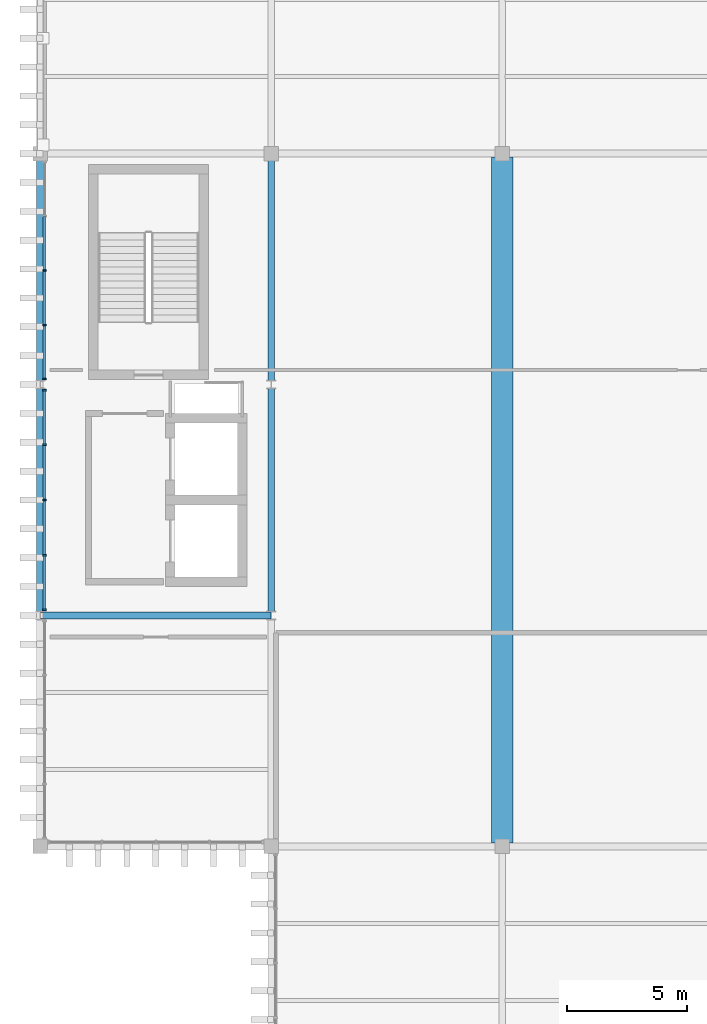
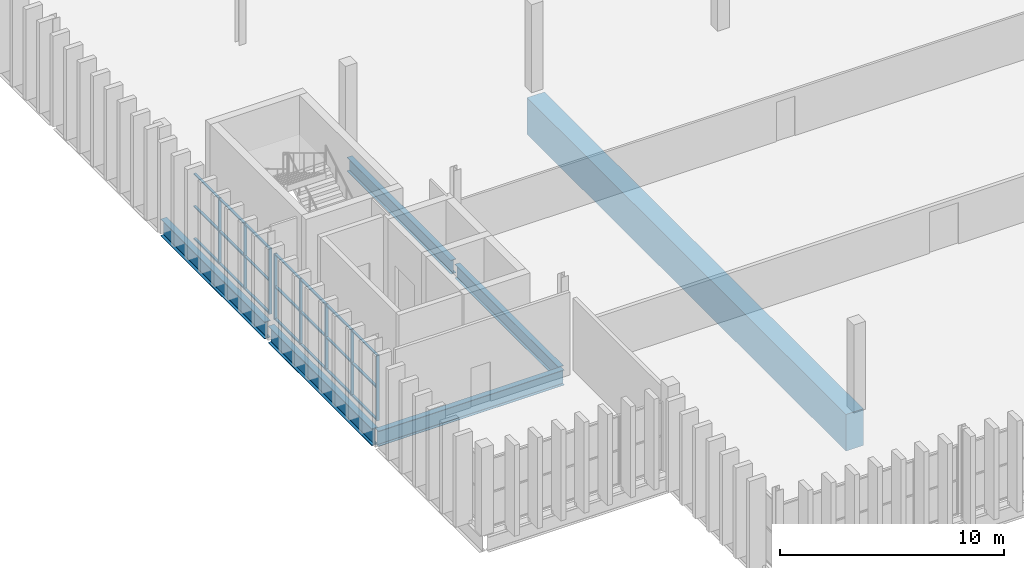
# One storey, part 17 of 99: 29 members, 6 beams, 2 elements without a shape of their own.
"""IFC4 building model written with IfcOpenShell, lengths in metres."""

import ifcopenshell
import ifcopenshell.guid

model = None  # the IFC model being written
_history = None  # IfcOwnerHistory: only IFC2X3 demands one
_inside = {}  # id of a spatial element -> (the spatial element, [elements in it])
_under = {}  # id of a project, library or spatial element -> (it, [spatial elements below it])
_declared = {}  # id of a project -> (the project, [libraries it declares])
_typed = {}  # id of a type object -> (the type object, [elements of that type])
_made_of = {}  # id of a material, layer set ... -> (it, [elements and type objects made of it])


def new_model(schema):
    """Start an empty IFC model of exactly this schema.

    Asked for "IFC4X3", IfcOpenShell would pick the latest addendum, in which some entities
    have other attributes; the version numbers below select the first issue.
    IFC2X3 requires an IfcOwnerHistory on every rooted entity: one is made here for all.
    """
    global model, _history
    if schema == "IFC4X3":
        model = ifcopenshell.file(schema_version=(4, 3, 0, 0))
    else:
        model = ifcopenshell.file(schema=schema)
    _inside.clear()
    _under.clear()
    _declared.clear()
    _typed.clear()
    _made_of.clear()
    _history = None
    if model.schema == "IFC2X3":
        org = make("IfcOrganization", Name="unknown")
        user = make(
            "IfcPersonAndOrganization",
            ThePerson=make("IfcPerson", FamilyName="unknown"),
            TheOrganization=org,
        )
        app = make(
            "IfcApplication",
            ApplicationDeveloper=org,
            Version="unknown",
            ApplicationFullName="unknown",
            ApplicationIdentifier="unknown",
        )
        _history = make(
            "IfcOwnerHistory",
            OwningUser=user,
            OwningApplication=app,
            ChangeAction="ADDED",
            CreationDate=0,
        )
    return model


def make(cls, **values):
    """One entity of the class cls with the attributes given. An attribute that is None is left unset."""
    return model.create_entity(
        cls, **{name: value for name, value in values.items() if value is not None}
    )


def rooted(cls, **values):
    """An entity with a GlobalId (a new one), such as an element, a storey or a relation."""
    return make(cls, GlobalId=ifcopenshell.guid.new(), OwnerHistory=_history, **values)


def si_unit(unit_type, name, prefix=None):
    """IfcSIUnit, for example si_unit("LENGTHUNIT", "METRE", prefix="MILLI")."""
    return make("IfcSIUnit", UnitType=unit_type, Prefix=prefix, Name=name)


def assignment(units):
    """IfcUnitAssignment: the units of a project."""
    return None if units is None else make("IfcUnitAssignment", Units=units)


def point(xyz):
    """IfcCartesianPoint."""
    return None if xyz is None else make("IfcCartesianPoint", Coordinates=xyz)


def direction(xyz):
    """IfcDirection."""
    return None if xyz is None else make("IfcDirection", DirectionRatios=xyz)


def frame(location, z_axis=None, x_axis=None):
    """IfcAxis2Placement3D, a coordinate frame: its origin and axes. An axis left out is left unset."""
    return make(
        "IfcAxis2Placement3D",
        Location=point(location),
        Axis=direction(z_axis),
        RefDirection=direction(x_axis),
    )


def frame_2d(location, x_axis=None):
    """IfcAxis2Placement2D, a coordinate frame in the plane: its origin and x axis."""
    return make(
        "IfcAxis2Placement2D", Location=point(location), RefDirection=direction(x_axis)
    )


def origin():
    """The frame at (0, 0, 0) with its axes left unset."""
    return frame((0.0, 0.0, 0.0))


def origin_2d():
    """The frame at (0, 0) in the plane with its x axis left unset."""
    return frame_2d((0.0, 0.0))


def place(relative_to, where):
    """IfcLocalPlacement: puts the frame where relative to a parent placement (None: the world)."""
    return make(
        "IfcLocalPlacement", PlacementRelTo=relative_to, RelativePlacement=where
    )


def context(
    kind, dimensions, precision=None, world=None, true_north=None, identifier=None
):
    """IfcGeometricRepresentationContext, for example the 3D "Model" context."""
    return make(
        "IfcGeometricRepresentationContext",
        ContextIdentifier=identifier,
        ContextType=kind,
        CoordinateSpaceDimension=dimensions,
        Precision=precision,
        WorldCoordinateSystem=world,
        TrueNorth=true_north,
    )


def subcontext(parent, identifier, kind, view, scale=None):
    """IfcGeometricRepresentationSubContext, for example "Body" below "Model"."""
    return make(
        "IfcGeometricRepresentationSubContext",
        ContextIdentifier=identifier,
        ContextType=kind,
        ParentContext=parent,
        TargetScale=scale,
        TargetView=view,
    )


def project(units=None, contexts=None):
    """IfcProject with its units and contexts."""
    return rooted(
        "IfcProject",
        Name="project",
        RepresentationContexts=contexts,
        UnitsInContext=assignment(units),
    )


def spatial(cls, under=None, at=None, **own):
    """A site, building, storey or space (cls), placed at a placement, below another one or the project."""
    s = rooted(cls, ObjectPlacement=at, **own)
    if under is not None:
        _under.setdefault(under.id(), (under, []))[1].append(s)
    return s


def profile(cls, at=None, kind="AREA", **sizes):
    """A parametric profile (cls). Its sizes go by their IFC names, for example OverallWidth=200.0."""
    return make(cls, ProfileType=kind, Position=at, **sizes)


def rectangle(**sizes):
    """IfcRectangleProfileDef."""
    return profile("IfcRectangleProfileDef", **sizes)


def i_section(**sizes):
    """IfcIShapeProfileDef."""
    return profile("IfcIShapeProfileDef", **sizes)


def extrude(swept, where, along, depth):
    """IfcExtrudedAreaSolid: the profile swept, set in the frame where, extruded along a direction by depth."""
    return make(
        "IfcExtrudedAreaSolid",
        SweptArea=swept,
        Position=where,
        ExtrudedDirection=direction(along),
        Depth=depth,
    )


def shape(context_of_items, identifier, shape_type, items):
    """IfcShapeRepresentation: the items that make up one representation, for example the "Body"."""
    return make(
        "IfcShapeRepresentation",
        ContextOfItems=context_of_items,
        RepresentationIdentifier=identifier,
        RepresentationType=shape_type,
        Items=items,
    )


def material(Name=None, Category=None):
    """IfcMaterial."""
    return make("IfcMaterial", Name=Name, Category=Category)


def layer(
    of_material, thickness, ventilated=None, Name=None, Category=None, Priority=None
):
    """IfcMaterialLayer: one layer of a wall or slab, of a material (None: an air gap)."""
    return make(
        "IfcMaterialLayer",
        Material=of_material,
        LayerThickness=thickness,
        IsVentilated=ventilated,
        Name=Name,
        Category=Category,
        Priority=Priority,
    )


def layer_set(layers, Name=None):
    """IfcMaterialLayerSet."""
    return make("IfcMaterialLayerSet", MaterialLayers=layers, LayerSetName=Name)


def material_profile(
    of_material, cross_section, Name=None, Category=None, Priority=None
):
    """IfcMaterialProfile: a cross section and its material."""
    return make(
        "IfcMaterialProfile",
        Name=Name,
        Material=of_material,
        Profile=cross_section,
        Priority=Priority,
        Category=Category,
    )


def profile_set(profiles, Name=None, composite=None):
    """IfcMaterialProfileSet."""
    return make(
        "IfcMaterialProfileSet",
        Name=Name,
        MaterialProfiles=profiles,
        CompositeProfile=composite,
    )


def made_of(thing, what):
    """Note that an element or type object is made of a material, layer set ...; save() writes the relation."""
    if what is not None:
        _made_of.setdefault(what.id(), (what, []))[1].append(thing)
    return thing


def type_object(cls, material=None, **own):
    """A type object (cls), such as IfcWallType, which elements share."""
    return made_of(rooted(cls, **own), material)


def element(
    cls,
    number,
    at=None,
    inside=None,
    cuts=None,
    type_object=None,
    material=None,
    context=None,
    identifier="Body",
    shape_type=None,
    held_by="IfcProductDefinitionShape",
    body=None,
    shapes=None,
    **own,
):
    """One element of the class cls, such as IfcWall. Its Tag is "e" and its number.

    at: its placement. inside: the storey or other place that contains it. cuts: it is an
    opening in that element (IfcRelVoidsElement). A single representation is given by context,
    identifier, shape_type and body (its items); several are given by shapes. held_by: the class
    of the entity that holds the representations. save() writes the other relations.
    """
    e = rooted(cls, Tag="e%d" % number, ObjectPlacement=at, **own)
    if body is not None:
        shapes = [shape(context, identifier, shape_type, body)]
    if shapes is not None:
        e.Representation = make(held_by, Representations=shapes)
    if inside is not None:
        _inside.setdefault(inside.id(), (inside, []))[1].append(e)
    if cuts is not None:
        rooted(
            "IfcRelVoidsElement", RelatingBuildingElement=cuts, RelatedOpeningElement=e
        )
    if type_object is not None:
        _typed.setdefault(type_object.id(), (type_object, []))[1].append(e)
    return made_of(e, material)


def aggregate(whole, parts):
    """IfcRelAggregates: a whole, such as a stair, and the parts it consists of."""
    return rooted("IfcRelAggregates", RelatingObject=whole, RelatedObjects=parts)


def save(model, path):
    """Write the relations noted so far, then the file.

    IfcRelAggregates (storeys below a building ...), IfcRelContainedInSpatialStructure (elements
    in a storey), IfcRelDefinesByType, IfcRelAssociatesMaterial and IfcRelDeclares: one each for
    every whole, place, type object, material and project.
    """
    for whole, parts in _under.values():
        aggregate(whole, parts)
    for where, things in _inside.values():
        rooted(
            "IfcRelContainedInSpatialStructure",
            RelatedElements=things,
            RelatingStructure=where,
        )
    for kind, things in _typed.values():
        rooted("IfcRelDefinesByType", RelatedObjects=things, RelatingType=kind)
    for what, things in _made_of.values():
        rooted("IfcRelAssociatesMaterial", RelatedObjects=things, RelatingMaterial=what)
    for by, libraries in _declared.values():
        rooted("IfcRelDeclares", RelatingContext=by, RelatedDefinitions=libraries)
    model.write(path)


model = new_model("IFC4")

# Units and contexts
model_context = context("Model", 3, precision=1e-05, world=origin(), true_north=direction((0.0, 1.0)))
body_context = subcontext(model_context, "Body", "Model", "MODEL_VIEW")
ifc_project = project(units=[si_unit("LENGTHUNIT", "METRE"), si_unit("AREAUNIT", "SQUARE_METRE"), si_unit("VOLUMEUNIT", "CUBIC_METRE"), si_unit("PLANEANGLEUNIT", "RADIAN"), si_unit("MASSUNIT", "GRAM", prefix="KILO")], contexts=[model_context])

# Site, building, storey
site_placement = place(None, origin())
site = spatial("IfcSite", under=ifc_project, at=site_placement, CompositionType="ELEMENT")
building_placement = place(site_placement, origin())
building = spatial("IfcBuilding", under=site, at=building_placement, Name="Caelomonte Colonnade Arena", CompositionType="ELEMENT")
storey_placement = place(building_placement, frame((0.0, 0.0, 4.800048828125)))
storey = spatial("IfcBuildingStorey", under=building, at=storey_placement, Name="L01", CompositionType="ELEMENT", Elevation=4.800048828125)

# Curtain wall, members
ifc_material_1 = material(Name="Bronze anodised aluminium and low-E glazing", Category="aluminium")
ifc_layer = layer(ifc_material_1, 0.179931640625)
ifc_layer_set = layer_set([ifc_layer], Name="Bronze anodised aluminium and low-E glazing")
curtain_wall_type = type_object("IfcCurtainWallType", Name="ENV-CW-CW-L01-96-36", PredefinedType="USERDEFINED", material=ifc_layer_set)
curtain_wall_1_placement = place(storey_placement, origin())
curtain_wall_1 = element("IfcCurtainWall", 1, at=curtain_wall_1_placement, inside=storey, type_object=curtain_wall_type, Name="L01 unitized curtain wall CW-L01-0002-0624", ObjectType="UNITIZED CURTAIN WALL", PredefinedType="USERDEFINED")
ifc_material_2 = material(Name="Bronze anodised aluminium AA6063-T6", Category="aluminium")
ifc_material_profile_1 = material_profile(ifc_material_2, rectangle(XDim=0.06494140625, YDim=0.14990234375, at=origin_2d()), Name="CWM-65X150")
ifc_profile_set_1 = profile_set([ifc_material_profile_1], Name="Bronze anodised aluminium AA6063-T6")
member_type_1 = type_object("IfcMemberType", Name="ENV-CW-MULL2", PredefinedType="MULLION", material=ifc_profile_set_1)
member_1_placement = place(storey_placement, frame((0.179931640625, 62.34228515625, 0.0), z_axis=(0.0, 0.0, 1.0), x_axis=(0.0, -1.0, 0.0)))
member_1 = element("IfcMember", 2, at=member_1_placement, type_object=member_type_1, Name="CW-L01-96-36 mullion 3", PredefinedType="MULLION", context=body_context, shape_type="SweptSolid", body=[
    extrude(rectangle(XDim=0.06494140625, YDim=0.14990234375, at=origin_2d()), origin(), (0.0, 0.0, 1.0), 3.593017578125),
])
member_2_placement = place(storey_placement, frame((0.179931640625, 60.0732421875, 0.0), z_axis=(0.0, 0.0, 1.0), x_axis=(0.0, -1.0, 0.0)))
member_2 = element("IfcMember", 3, at=member_2_placement, type_object=member_type_1, Name="CW-L01-96-36 mullion 4", PredefinedType="MULLION", context=body_context, shape_type="SweptSolid", body=[
    extrude(rectangle(XDim=0.06494140625, YDim=0.14990234375, at=origin_2d()), origin(), (0.0, 0.0, 1.0), 3.593017578125),
])
member_3_placement = place(storey_placement, frame((0.179931640625, 57.8369140625, 0.0), z_axis=(0.0, 0.0, 1.0), x_axis=(0.0, -1.0, 0.0)))
member_3 = element("IfcMember", 4, at=member_3_placement, type_object=member_type_1, Name="CW-L01-96-36 mullion 5", PredefinedType="MULLION", context=body_context, shape_type="SweptSolid", body=[
    extrude(rectangle(XDim=0.06494140625, YDim=0.14990234375, at=origin_2d()), origin(), (0.0, 0.0, 1.0), 3.593017578125),
])

curtain_wall_2_placement = place(storey_placement, origin())
curtain_wall_2 = element("IfcCurtainWall", 5, at=curtain_wall_2_placement, inside=storey, type_object=curtain_wall_type, Name="L01 unitized curtain wall CW-L01-0002-0528", ObjectType="UNITIZED CURTAIN WALL", PredefinedType="USERDEFINED")
member_4_placement = place(storey_placement, frame((0.179931640625, 57.363037109375, 0.0), z_axis=(0.0, 0.0, 1.0), x_axis=(0.0, -1.0, 0.0)))
member_4 = element("IfcMember", 6, at=member_4_placement, type_object=member_type_1, Name="CW-L01-96-36 mullion 1", PredefinedType="MULLION", context=body_context, shape_type="SweptSolid", body=[
    extrude(rectangle(XDim=0.06494140625, YDim=0.14990234375, at=origin_2d()), origin(), (0.0, 0.0, 1.0), 3.593017578125),
])
member_5_placement = place(storey_placement, frame((0.179931640625, 55.097900390625, 0.0), z_axis=(0.0, 0.0, 1.0), x_axis=(0.0, -1.0, 0.0)))
member_5 = element("IfcMember", 7, at=member_5_placement, type_object=member_type_1, Name="CW-L01-96-36 mullion 2", PredefinedType="MULLION", context=body_context, shape_type="SweptSolid", body=[
    extrude(rectangle(XDim=0.06494140625, YDim=0.14990234375, at=origin_2d()), origin(), (0.0, 0.0, 1.0), 3.593017578125),
])
member_6_placement = place(storey_placement, frame((0.179931640625, 52.800048828125, 0.0), z_axis=(0.0, 0.0, 1.0), x_axis=(0.0, -1.0, 0.0)))
member_6 = element("IfcMember", 8, at=member_6_placement, type_object=member_type_1, Name="CW-L01-96-36 mullion 3", PredefinedType="MULLION", context=body_context, shape_type="SweptSolid", body=[
    extrude(rectangle(XDim=0.06494140625, YDim=0.14990234375, at=origin_2d()), origin(), (0.0, 0.0, 1.0), 3.593017578125),
])
member_7_placement = place(storey_placement, frame((0.179931640625, 50.502197265625, 0.0), z_axis=(0.0, 0.0, 1.0), x_axis=(0.0, -1.0, 0.0)))
member_7 = element("IfcMember", 9, at=member_7_placement, type_object=member_type_1, Name="CW-L01-96-36 mullion 4", PredefinedType="MULLION", context=body_context, shape_type="SweptSolid", body=[
    extrude(rectangle(XDim=0.06494140625, YDim=0.14990234375, at=origin_2d()), origin(), (0.0, 0.0, 1.0), 3.593017578125),
])
member_8_placement = place(storey_placement, frame((0.179931640625, 48.23681640625, 0.0), z_axis=(0.0, 0.0, 1.0), x_axis=(0.0, -1.0, 0.0)))
member_8 = element("IfcMember", 10, at=member_8_placement, type_object=member_type_1, Name="CW-L01-96-36 mullion 5", PredefinedType="MULLION", context=body_context, shape_type="SweptSolid", body=[
    extrude(rectangle(XDim=0.06494140625, YDim=0.14990234375, at=origin_2d()), origin(), (0.0, 0.0, 1.0), 3.593017578125),
])

# Member
ifc_material_profile_2 = material_profile(ifc_material_2, rectangle(XDim=0.06494140625, YDim=0.1201171875, at=origin_2d()), Name="CWT-65X120")
ifc_profile_set_2 = profile_set([ifc_material_profile_2], Name="Bronze anodised aluminium AA6063-T6")
member_type_2 = type_object("IfcMemberType", Name="ENV-CW-TRAN2", PredefinedType="USERDEFINED", material=ifc_profile_set_2)
member_9_placement = place(storey_placement, frame((0.179931640625, 64.57861328125, 0.032470703125), z_axis=(0.0, -1.0, 0.0), x_axis=(0.0, 0.0, 1.0)))
member_9 = element("IfcMember", 11, at=member_9_placement, type_object=member_type_2, Name="CW-L01-96-36 transom 2.1", ObjectType="TRANSOM", PredefinedType="USERDEFINED", context=body_context, shape_type="SweptSolid", body=[
    extrude(rectangle(XDim=0.06494140625, YDim=0.1201171875, at=origin_2d()), origin(), (0.0, 0.0, 1.0), 2.203857421875),
])

member_10_placement = place(storey_placement, frame((0.179931640625, 64.57861328125, 1.79638671875), z_axis=(0.0, -1.0, 0.0), x_axis=(0.0, 0.0, 1.0)))
member_10 = element("IfcMember", 12, at=member_10_placement, type_object=member_type_2, Name="CW-L01-96-36 transom 2.2", ObjectType="TRANSOM", PredefinedType="USERDEFINED", context=body_context, shape_type="SweptSolid", body=[
    extrude(rectangle(XDim=0.06494140625, YDim=0.1201171875, at=origin_2d()), origin(), (0.0, 0.0, 1.0), 2.203857421875),
])

member_11_placement = place(storey_placement, frame((0.179931640625, 64.57861328125, 3.560546875), z_axis=(0.0, -1.0, 0.0), x_axis=(0.0, 0.0, 1.0)))
member_11 = element("IfcMember", 13, at=member_11_placement, type_object=member_type_2, Name="CW-L01-96-36 transom 2.3", ObjectType="TRANSOM", PredefinedType="USERDEFINED", context=body_context, shape_type="SweptSolid", body=[
    extrude(rectangle(XDim=0.06494140625, YDim=0.1201171875, at=origin_2d()), origin(), (0.0, 0.0, 1.0), 2.203857421875),
])

member_12_placement = place(storey_placement, frame((0.179931640625, 62.309814453125, 0.032470703125), z_axis=(0.0, -1.0, 0.0), x_axis=(0.0, 0.0, 1.0)))
member_12 = element("IfcMember", 14, at=member_12_placement, type_object=member_type_2, Name="CW-L01-96-36 transom 3.1", ObjectType="TRANSOM", PredefinedType="USERDEFINED", context=body_context, shape_type="SweptSolid", body=[
    extrude(rectangle(XDim=0.06494140625, YDim=0.1201171875, at=origin_2d()), origin(), (0.0, 0.0, 1.0), 2.2041015625),
])

member_13_placement = place(storey_placement, frame((0.179931640625, 62.309814453125, 1.79638671875), z_axis=(0.0, -1.0, 0.0), x_axis=(0.0, 0.0, 1.0)))
member_13 = element("IfcMember", 15, at=member_13_placement, type_object=member_type_2, Name="CW-L01-96-36 transom 3.2", ObjectType="TRANSOM", PredefinedType="USERDEFINED", context=body_context, shape_type="SweptSolid", body=[
    extrude(rectangle(XDim=0.06494140625, YDim=0.1201171875, at=origin_2d()), origin(), (0.0, 0.0, 1.0), 2.2041015625),
])

member_14_placement = place(storey_placement, frame((0.179931640625, 62.309814453125, 3.560546875), z_axis=(0.0, -1.0, 0.0), x_axis=(0.0, 0.0, 1.0)))
member_14 = element("IfcMember", 16, at=member_14_placement, type_object=member_type_2, Name="CW-L01-96-36 transom 3.3", ObjectType="TRANSOM", PredefinedType="USERDEFINED", context=body_context, shape_type="SweptSolid", body=[
    extrude(rectangle(XDim=0.06494140625, YDim=0.1201171875, at=origin_2d()), origin(), (0.0, 0.0, 1.0), 2.2041015625),
])

member_15_placement = place(storey_placement, frame((0.179931640625, 60.040771484375, 0.032470703125), z_axis=(0.0, -1.0, 0.0), x_axis=(0.0, 0.0, 1.0)))
member_15 = element("IfcMember", 17, at=member_15_placement, type_object=member_type_2, Name="CW-L01-96-36 transom 4.1", ObjectType="TRANSOM", PredefinedType="USERDEFINED", context=body_context, shape_type="SweptSolid", body=[
    extrude(rectangle(XDim=0.06494140625, YDim=0.1201171875, at=origin_2d()), origin(), (0.0, 0.0, 1.0), 2.17138671875),
])

member_16_placement = place(storey_placement, frame((0.179931640625, 60.040771484375, 1.79638671875), z_axis=(0.0, -1.0, 0.0), x_axis=(0.0, 0.0, 1.0)))
member_16 = element("IfcMember", 18, at=member_16_placement, type_object=member_type_2, Name="CW-L01-96-36 transom 4.2", ObjectType="TRANSOM", PredefinedType="USERDEFINED", context=body_context, shape_type="SweptSolid", body=[
    extrude(rectangle(XDim=0.06494140625, YDim=0.1201171875, at=origin_2d()), origin(), (0.0, 0.0, 1.0), 2.17138671875),
])

member_17_placement = place(storey_placement, frame((0.179931640625, 60.040771484375, 3.560546875), z_axis=(0.0, -1.0, 0.0), x_axis=(0.0, 0.0, 1.0)))
member_17 = element("IfcMember", 19, at=member_17_placement, type_object=member_type_2, Name="CW-L01-96-36 transom 4.3", ObjectType="TRANSOM", PredefinedType="USERDEFINED", context=body_context, shape_type="SweptSolid", body=[
    extrude(rectangle(XDim=0.06494140625, YDim=0.1201171875, at=origin_2d()), origin(), (0.0, 0.0, 1.0), 2.17138671875),
])

aggregate(curtain_wall_1, [member_1, member_2, member_3, member_9, member_10, member_11, member_12, member_13, member_14, member_15, member_16, member_17])

member_18_placement = place(storey_placement, frame((0.179931640625, 57.33056640625, 0.032470703125), z_axis=(0.0, -1.0, 0.0), x_axis=(0.0, 0.0, 1.0)))
member_18 = element("IfcMember", 20, at=member_18_placement, type_object=member_type_2, Name="CW-L01-96-36 transom 1.1", ObjectType="TRANSOM", PredefinedType="USERDEFINED", context=body_context, shape_type="SweptSolid", body=[
    extrude(rectangle(XDim=0.06494140625, YDim=0.1201171875, at=origin_2d()), origin(), (0.0, 0.0, 1.0), 2.2001953125),
])

member_19_placement = place(storey_placement, frame((0.179931640625, 57.33056640625, 1.79638671875), z_axis=(0.0, -1.0, 0.0), x_axis=(0.0, 0.0, 1.0)))
member_19 = element("IfcMember", 21, at=member_19_placement, type_object=member_type_2, Name="CW-L01-96-36 transom 1.2", ObjectType="TRANSOM", PredefinedType="USERDEFINED", context=body_context, shape_type="SweptSolid", body=[
    extrude(rectangle(XDim=0.06494140625, YDim=0.1201171875, at=origin_2d()), origin(), (0.0, 0.0, 1.0), 2.2001953125),
])

member_20_placement = place(storey_placement, frame((0.179931640625, 57.33056640625, 3.560546875), z_axis=(0.0, -1.0, 0.0), x_axis=(0.0, 0.0, 1.0)))
member_20 = element("IfcMember", 22, at=member_20_placement, type_object=member_type_2, Name="CW-L01-96-36 transom 1.3", ObjectType="TRANSOM", PredefinedType="USERDEFINED", context=body_context, shape_type="SweptSolid", body=[
    extrude(rectangle(XDim=0.06494140625, YDim=0.1201171875, at=origin_2d()), origin(), (0.0, 0.0, 1.0), 2.2001953125),
])

member_21_placement = place(storey_placement, frame((0.179931640625, 55.065185546875, 0.032470703125), z_axis=(0.0, -1.0, 0.0), x_axis=(0.0, 0.0, 1.0)))
member_21 = element("IfcMember", 23, at=member_21_placement, type_object=member_type_2, Name="CW-L01-96-36 transom 2.1", ObjectType="TRANSOM", PredefinedType="USERDEFINED", context=body_context, shape_type="SweptSolid", body=[
    extrude(rectangle(XDim=0.06494140625, YDim=0.1201171875, at=origin_2d()), origin(), (0.0, 0.0, 1.0), 2.232666015625),
])

member_22_placement = place(storey_placement, frame((0.179931640625, 55.065185546875, 1.79638671875), z_axis=(0.0, -1.0, 0.0), x_axis=(0.0, 0.0, 1.0)))
member_22 = element("IfcMember", 24, at=member_22_placement, type_object=member_type_2, Name="CW-L01-96-36 transom 2.2", ObjectType="TRANSOM", PredefinedType="USERDEFINED", context=body_context, shape_type="SweptSolid", body=[
    extrude(rectangle(XDim=0.06494140625, YDim=0.1201171875, at=origin_2d()), origin(), (0.0, 0.0, 1.0), 2.232666015625),
])

member_23_placement = place(storey_placement, frame((0.179931640625, 55.065185546875, 3.560546875), z_axis=(0.0, -1.0, 0.0), x_axis=(0.0, 0.0, 1.0)))
member_23 = element("IfcMember", 25, at=member_23_placement, type_object=member_type_2, Name="CW-L01-96-36 transom 2.3", ObjectType="TRANSOM", PredefinedType="USERDEFINED", context=body_context, shape_type="SweptSolid", body=[
    extrude(rectangle(XDim=0.06494140625, YDim=0.1201171875, at=origin_2d()), origin(), (0.0, 0.0, 1.0), 2.232666015625),
])

member_24_placement = place(storey_placement, frame((0.179931640625, 52.767578125, 0.032470703125), z_axis=(0.0, -1.0, 0.0), x_axis=(0.0, 0.0, 1.0)))
member_24 = element("IfcMember", 26, at=member_24_placement, type_object=member_type_2, Name="CW-L01-96-36 transom 3.1", ObjectType="TRANSOM", PredefinedType="USERDEFINED", context=body_context, shape_type="SweptSolid", body=[
    extrude(rectangle(XDim=0.06494140625, YDim=0.1201171875, at=origin_2d()), origin(), (0.0, 0.0, 1.0), 2.23291015625),
])

member_25_placement = place(storey_placement, frame((0.179931640625, 52.767578125, 1.79638671875), z_axis=(0.0, -1.0, 0.0), x_axis=(0.0, 0.0, 1.0)))
member_25 = element("IfcMember", 27, at=member_25_placement, type_object=member_type_2, Name="CW-L01-96-36 transom 3.2", ObjectType="TRANSOM", PredefinedType="USERDEFINED", context=body_context, shape_type="SweptSolid", body=[
    extrude(rectangle(XDim=0.06494140625, YDim=0.1201171875, at=origin_2d()), origin(), (0.0, 0.0, 1.0), 2.23291015625),
])

member_26_placement = place(storey_placement, frame((0.179931640625, 52.767578125, 3.560546875), z_axis=(0.0, -1.0, 0.0), x_axis=(0.0, 0.0, 1.0)))
member_26 = element("IfcMember", 28, at=member_26_placement, type_object=member_type_2, Name="CW-L01-96-36 transom 3.3", ObjectType="TRANSOM", PredefinedType="USERDEFINED", context=body_context, shape_type="SweptSolid", body=[
    extrude(rectangle(XDim=0.06494140625, YDim=0.1201171875, at=origin_2d()), origin(), (0.0, 0.0, 1.0), 2.23291015625),
])

member_27_placement = place(storey_placement, frame((0.179931640625, 50.4697265625, 0.032470703125), z_axis=(0.0, -1.0, 0.0), x_axis=(0.0, 0.0, 1.0)))
member_27 = element("IfcMember", 29, at=member_27_placement, type_object=member_type_2, Name="CW-L01-96-36 transom 4.1", ObjectType="TRANSOM", PredefinedType="USERDEFINED", context=body_context, shape_type="SweptSolid", body=[
    extrude(rectangle(XDim=0.06494140625, YDim=0.1201171875, at=origin_2d()), origin(), (0.0, 0.0, 1.0), 2.200439453125),
])

member_28_placement = place(storey_placement, frame((0.179931640625, 50.4697265625, 1.79638671875), z_axis=(0.0, -1.0, 0.0), x_axis=(0.0, 0.0, 1.0)))
member_28 = element("IfcMember", 30, at=member_28_placement, type_object=member_type_2, Name="CW-L01-96-36 transom 4.2", ObjectType="TRANSOM", PredefinedType="USERDEFINED", context=body_context, shape_type="SweptSolid", body=[
    extrude(rectangle(XDim=0.06494140625, YDim=0.1201171875, at=origin_2d()), origin(), (0.0, 0.0, 1.0), 2.200439453125),
])

member_29_placement = place(storey_placement, frame((0.179931640625, 50.4697265625, 3.560546875), z_axis=(0.0, -1.0, 0.0), x_axis=(0.0, 0.0, 1.0)))
member_29 = element("IfcMember", 31, at=member_29_placement, type_object=member_type_2, Name="CW-L01-96-36 transom 4.3", ObjectType="TRANSOM", PredefinedType="USERDEFINED", context=body_context, shape_type="SweptSolid", body=[
    extrude(rectangle(XDim=0.06494140625, YDim=0.1201171875, at=origin_2d()), origin(), (0.0, 0.0, 1.0), 2.200439453125),
])

aggregate(curtain_wall_2, [member_4, member_5, member_6, member_7, member_8, member_18, member_19, member_20, member_21, member_22, member_23, member_24, member_25, member_26, member_27, member_28, member_29])

# Beams
ifc_material_3 = material(Name="Wide-flange steel ASTM A992 Grade 50", Category="steel")
ifc_material_profile_3 = material_profile(ifc_material_3, i_section(OverallWidth=0.307861328125, OverallDepth=0.927001953125, WebThickness=0.019287109375, FlangeThickness=0.031982421875, FilletRadius=0.020263671875, at=origin_2d()), Name="W36X194")
ifc_profile_set_3 = profile_set([ifc_material_profile_3], Name="Wide-flange steel ASTM A992 Grade 50")
beam_type_1 = type_object("IfcBeamType", Name="STR-BM-EAVES2", PredefinedType="SPANDREL", material=ifc_profile_set_3)
beam_1_placement = place(storey_placement, frame((0.0, 48.170166015625, -0.763427734375), z_axis=(0.0, 1.0, 0.0), x_axis=(-1.0, 0.0, 0.0)))
element("IfcBeam", 32, at=beam_1_placement, inside=storey, type_object=beam_type_1, Name="L01 girder BMY-L01-0000-0480", PredefinedType="SPANDREL", context=body_context, shape_type="SweptSolid", body=[
    extrude(i_section(OverallWidth=0.307861328125, OverallDepth=0.927001953125, WebThickness=0.019287109375, FlangeThickness=0.031982421875, FilletRadius=0.020263671875, at=origin_2d()), origin(), (0.0, 0.0, 1.0), 9.259765625),
])
beam_2_placement = place(storey_placement, frame((0.0, 57.77001953125, -0.763427734375), z_axis=(0.0, 1.0, 0.0), x_axis=(-1.0, 0.0, 0.0)))
element("IfcBeam", 33, at=beam_2_placement, inside=storey, type_object=beam_type_1, Name="L01 girder BMY-L01-0000-0576", PredefinedType="SPANDREL", context=body_context, shape_type="SweptSolid", body=[
    extrude(i_section(OverallWidth=0.307861328125, OverallDepth=0.927001953125, WebThickness=0.019287109375, FlangeThickness=0.031982421875, FilletRadius=0.020263671875, at=origin_2d()), origin(), (0.0, 0.0, 1.0), 9.28564453125),
])
ifc_material_profile_4 = material_profile(ifc_material_3, i_section(OverallWidth=0.2666015625, OverallDepth=0.761962890625, WebThickness=0.014404296875, FlangeThickness=0.021484375, FilletRadius=0.0166015625, at=origin_2d()), Name="W30X116")
ifc_profile_set_4 = profile_set([ifc_material_profile_4], Name="Wide-flange steel ASTM A992 Grade 50")
beam_type_2 = type_object("IfcBeamType", Name="STR-BM-GIRD30", PredefinedType="BEAM", material=ifc_profile_set_4)
beam_3_placement = place(storey_placement, frame((9.60009765625, 48.170166015625, -0.68115234375), z_axis=(0.0, 1.0, 0.0), x_axis=(-1.0, 0.0, 0.0)))
element("IfcBeam", 34, at=beam_3_placement, inside=storey, type_object=beam_type_2, Name="L01 girder BMY-L01-0096-0480", PredefinedType="BEAM", context=body_context, shape_type="SweptSolid", body=[
    extrude(i_section(OverallWidth=0.2666015625, OverallDepth=0.761962890625, WebThickness=0.014404296875, FlangeThickness=0.021484375, FilletRadius=0.0166015625, at=origin_2d()), origin(), (0.0, 0.0, 1.0), 9.259765625),
])
beam_4_placement = place(storey_placement, frame((9.60009765625, 57.77001953125, -0.68115234375), z_axis=(0.0, 1.0, 0.0), x_axis=(-1.0, 0.0, 0.0)))
element("IfcBeam", 35, at=beam_4_placement, inside=storey, type_object=beam_type_2, Name="L01 girder BMY-L01-0096-0576", PredefinedType="BEAM", context=body_context, shape_type="SweptSolid", body=[
    extrude(i_section(OverallWidth=0.2666015625, OverallDepth=0.761962890625, WebThickness=0.014404296875, FlangeThickness=0.021484375, FilletRadius=0.0166015625, at=origin_2d()), origin(), (0.0, 0.0, 1.0), 9.28564453125),
])
ifc_material_profile_5 = material_profile(ifc_material_3, i_section(OverallWidth=0.2919921875, OverallDepth=0.835693359375, WebThickness=0.013916015625, FlangeThickness=0.018798828125, FilletRadius=0.017822265625, at=origin_2d()), Name="W33X118")
ifc_profile_set_5 = profile_set([ifc_material_profile_5], Name="Wide-flange steel ASTM A992 Grade 50")
beam_type_3 = type_object("IfcBeamType", Name="STR-BM-GIRD33B", PredefinedType="BEAM", material=ifc_profile_set_5)
beam_5_placement = place(storey_placement, frame((0.005615234375, 48.0, -0.7177734375), z_axis=(1.0, 0.0, 0.0), x_axis=(0.0, 1.0, 0.0)))
element("IfcBeam", 36, at=beam_5_placement, inside=storey, type_object=beam_type_3, Name="L01 girder BMX-L01-0000-0480", PredefinedType="BEAM", context=body_context, shape_type="SweptSolid", body=[
    extrude(i_section(OverallWidth=0.2919921875, OverallDepth=0.835693359375, WebThickness=0.013916015625, FlangeThickness=0.018798828125, FilletRadius=0.017822265625, at=origin_2d()), origin(), (0.0, 0.0, 1.0), 9.5888671875),
])
ifc_material_4 = material(Name="Concrete C50/60", Category="concrete")
ifc_material_profile_6 = material_profile(ifc_material_4, rectangle(XDim=0.89990234375, YDim=2.0, at=origin_2d()), Name="RC900X2000")
ifc_profile_set_6 = profile_set([ifc_material_profile_6], Name="Concrete C50/60")
beam_type_4 = type_object("IfcBeamType", Name="STR-BM-TG20", PredefinedType="USERDEFINED", material=ifc_profile_set_6)
beam_6_placement = place(storey_placement, frame((19.199951171875, 38.54443359375, -1.300048828125), z_axis=(0.0, 1.0, 0.0), x_axis=(-1.0, 0.0, 0.0)))
element("IfcBeam", 37, at=beam_6_placement, inside=storey, type_object=beam_type_4, Name="L01 Transfer Girder BMY-L01-0192-0384", ObjectType="TRANSFER GIRDER", PredefinedType="USERDEFINED", context=body_context, shape_type="SweptSolid", body=[
    extrude(rectangle(XDim=0.89990234375, YDim=2.0, at=origin_2d()), origin(), (0.0, 0.0, 1.0), 28.51123046875),
])

save(model, "model.ifc")
